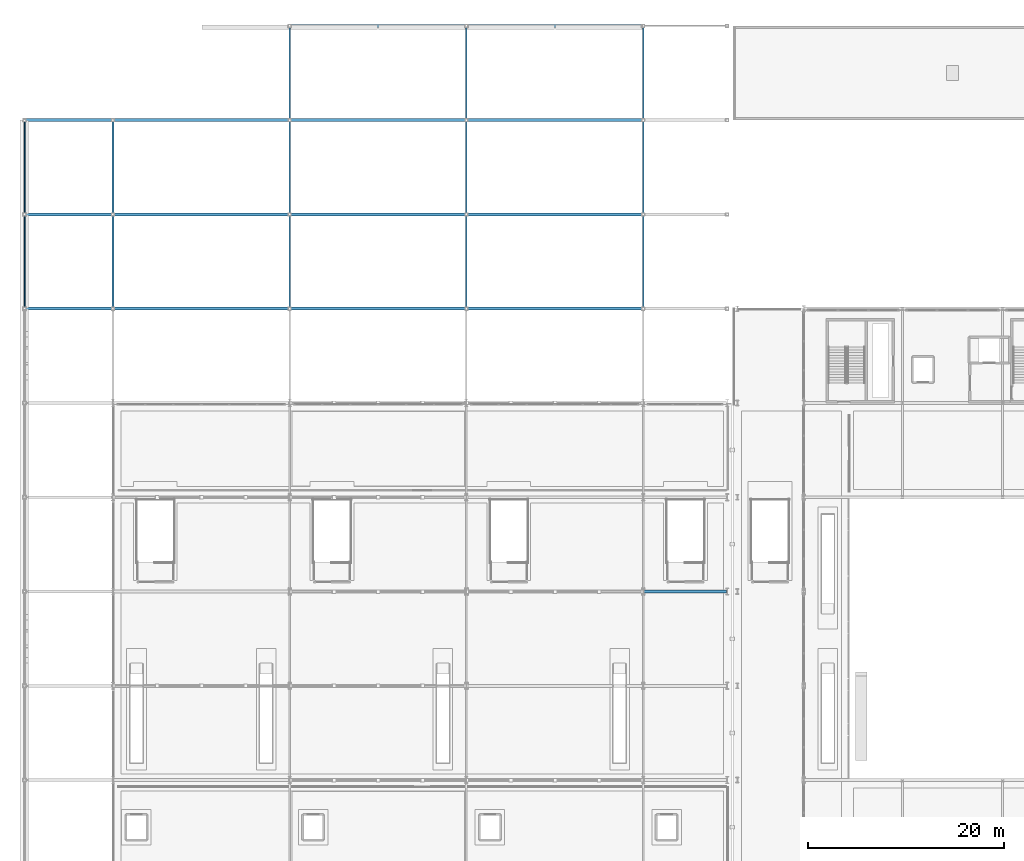
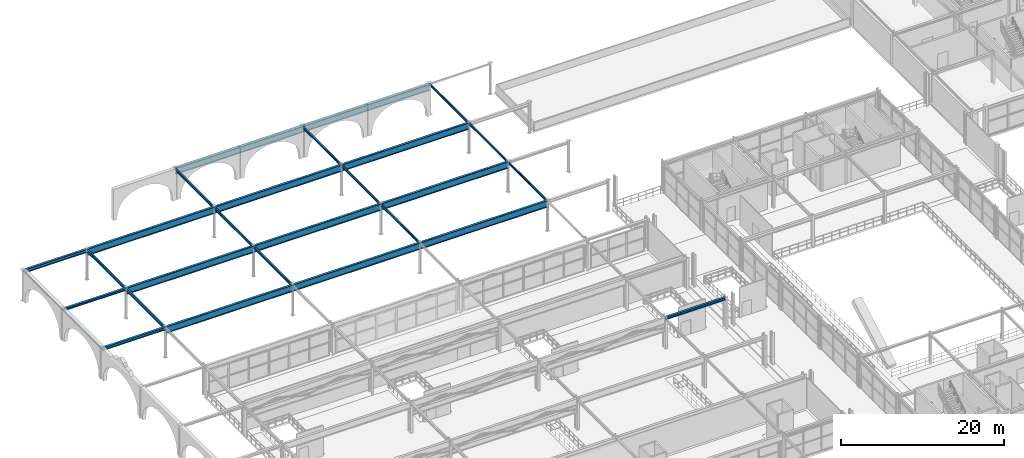
# One storey, part 46 of 125: 28 beams.
"""IFC4 building model written with IfcOpenShell, lengths in metres."""

import ifcopenshell
import ifcopenshell.guid

model = None  # the IFC model being written
_history = None  # IfcOwnerHistory: only IFC2X3 demands one
_inside = {}  # id of a spatial element -> (the spatial element, [elements in it])
_under = {}  # id of a project, library or spatial element -> (it, [spatial elements below it])
_declared = {}  # id of a project -> (the project, [libraries it declares])
_typed = {}  # id of a type object -> (the type object, [elements of that type])
_made_of = {}  # id of a material, layer set ... -> (it, [elements and type objects made of it])


def new_model(schema):
    """Start an empty IFC model of exactly this schema.

    Asked for "IFC4X3", IfcOpenShell would pick the latest addendum, in which some entities
    have other attributes; the version numbers below select the first issue.
    IFC2X3 requires an IfcOwnerHistory on every rooted entity: one is made here for all.
    """
    global model, _history
    if schema == "IFC4X3":
        model = ifcopenshell.file(schema_version=(4, 3, 0, 0))
    else:
        model = ifcopenshell.file(schema=schema)
    _inside.clear()
    _under.clear()
    _declared.clear()
    _typed.clear()
    _made_of.clear()
    _history = None
    if model.schema == "IFC2X3":
        org = make("IfcOrganization", Name="unknown")
        user = make(
            "IfcPersonAndOrganization",
            ThePerson=make("IfcPerson", FamilyName="unknown"),
            TheOrganization=org,
        )
        app = make(
            "IfcApplication",
            ApplicationDeveloper=org,
            Version="unknown",
            ApplicationFullName="unknown",
            ApplicationIdentifier="unknown",
        )
        _history = make(
            "IfcOwnerHistory",
            OwningUser=user,
            OwningApplication=app,
            ChangeAction="ADDED",
            CreationDate=0,
        )
    return model


def make(cls, **values):
    """One entity of the class cls with the attributes given. An attribute that is None is left unset."""
    return model.create_entity(
        cls, **{name: value for name, value in values.items() if value is not None}
    )


def rooted(cls, **values):
    """An entity with a GlobalId (a new one), such as an element, a storey or a relation."""
    return make(cls, GlobalId=ifcopenshell.guid.new(), OwnerHistory=_history, **values)


def si_unit(unit_type, name, prefix=None):
    """IfcSIUnit, for example si_unit("LENGTHUNIT", "METRE", prefix="MILLI")."""
    return make("IfcSIUnit", UnitType=unit_type, Prefix=prefix, Name=name)


def assignment(units):
    """IfcUnitAssignment: the units of a project."""
    return None if units is None else make("IfcUnitAssignment", Units=units)


def point(xyz):
    """IfcCartesianPoint."""
    return None if xyz is None else make("IfcCartesianPoint", Coordinates=xyz)


def direction(xyz):
    """IfcDirection."""
    return None if xyz is None else make("IfcDirection", DirectionRatios=xyz)


def frame(location, z_axis=None, x_axis=None):
    """IfcAxis2Placement3D, a coordinate frame: its origin and axes. An axis left out is left unset."""
    return make(
        "IfcAxis2Placement3D",
        Location=point(location),
        Axis=direction(z_axis),
        RefDirection=direction(x_axis),
    )


def frame_2d(location, x_axis=None):
    """IfcAxis2Placement2D, a coordinate frame in the plane: its origin and x axis."""
    return make(
        "IfcAxis2Placement2D", Location=point(location), RefDirection=direction(x_axis)
    )


def origin():
    """The frame at (0, 0, 0) with its axes left unset."""
    return frame((0.0, 0.0, 0.0))


def origin_2d():
    """The frame at (0, 0) in the plane with its x axis left unset."""
    return frame_2d((0.0, 0.0))


def place(relative_to, where):
    """IfcLocalPlacement: puts the frame where relative to a parent placement (None: the world)."""
    return make(
        "IfcLocalPlacement", PlacementRelTo=relative_to, RelativePlacement=where
    )


def context(
    kind, dimensions, precision=None, world=None, true_north=None, identifier=None
):
    """IfcGeometricRepresentationContext, for example the 3D "Model" context."""
    return make(
        "IfcGeometricRepresentationContext",
        ContextIdentifier=identifier,
        ContextType=kind,
        CoordinateSpaceDimension=dimensions,
        Precision=precision,
        WorldCoordinateSystem=world,
        TrueNorth=true_north,
    )


def subcontext(parent, identifier, kind, view, scale=None):
    """IfcGeometricRepresentationSubContext, for example "Body" below "Model"."""
    return make(
        "IfcGeometricRepresentationSubContext",
        ContextIdentifier=identifier,
        ContextType=kind,
        ParentContext=parent,
        TargetScale=scale,
        TargetView=view,
    )


def project(units=None, contexts=None):
    """IfcProject with its units and contexts."""
    return rooted(
        "IfcProject",
        Name="project",
        RepresentationContexts=contexts,
        UnitsInContext=assignment(units),
    )


def spatial(cls, under=None, at=None, **own):
    """A site, building, storey or space (cls), placed at a placement, below another one or the project."""
    s = rooted(cls, ObjectPlacement=at, **own)
    if under is not None:
        _under.setdefault(under.id(), (under, []))[1].append(s)
    return s


def profile(cls, at=None, kind="AREA", **sizes):
    """A parametric profile (cls). Its sizes go by their IFC names, for example OverallWidth=200.0."""
    return make(cls, ProfileType=kind, Position=at, **sizes)


def hollow_rectangle(**sizes):
    """IfcRectangleHollowProfileDef."""
    return profile("IfcRectangleHollowProfileDef", **sizes)


def i_section(**sizes):
    """IfcIShapeProfileDef."""
    return profile("IfcIShapeProfileDef", **sizes)


def extrude(swept, where, along, depth):
    """IfcExtrudedAreaSolid: the profile swept, set in the frame where, extruded along a direction by depth."""
    return make(
        "IfcExtrudedAreaSolid",
        SweptArea=swept,
        Position=where,
        ExtrudedDirection=direction(along),
        Depth=depth,
    )


def shape(context_of_items, identifier, shape_type, items):
    """IfcShapeRepresentation: the items that make up one representation, for example the "Body"."""
    return make(
        "IfcShapeRepresentation",
        ContextOfItems=context_of_items,
        RepresentationIdentifier=identifier,
        RepresentationType=shape_type,
        Items=items,
    )


def material(Name=None, Category=None):
    """IfcMaterial."""
    return make("IfcMaterial", Name=Name, Category=Category)


def material_profile(
    of_material, cross_section, Name=None, Category=None, Priority=None
):
    """IfcMaterialProfile: a cross section and its material."""
    return make(
        "IfcMaterialProfile",
        Name=Name,
        Material=of_material,
        Profile=cross_section,
        Priority=Priority,
        Category=Category,
    )


def profile_set(profiles, Name=None, composite=None):
    """IfcMaterialProfileSet."""
    return make(
        "IfcMaterialProfileSet",
        Name=Name,
        MaterialProfiles=profiles,
        CompositeProfile=composite,
    )


def made_of(thing, what):
    """Note that an element or type object is made of a material, layer set ...; save() writes the relation."""
    if what is not None:
        _made_of.setdefault(what.id(), (what, []))[1].append(thing)
    return thing


def type_object(cls, material=None, **own):
    """A type object (cls), such as IfcWallType, which elements share."""
    return made_of(rooted(cls, **own), material)


def element(
    cls,
    number,
    at=None,
    inside=None,
    cuts=None,
    type_object=None,
    material=None,
    context=None,
    identifier="Body",
    shape_type=None,
    held_by="IfcProductDefinitionShape",
    body=None,
    shapes=None,
    **own,
):
    """One element of the class cls, such as IfcWall. Its Tag is "e" and its number.

    at: its placement. inside: the storey or other place that contains it. cuts: it is an
    opening in that element (IfcRelVoidsElement). A single representation is given by context,
    identifier, shape_type and body (its items); several are given by shapes. held_by: the class
    of the entity that holds the representations. save() writes the other relations.
    """
    e = rooted(cls, Tag="e%d" % number, ObjectPlacement=at, **own)
    if body is not None:
        shapes = [shape(context, identifier, shape_type, body)]
    if shapes is not None:
        e.Representation = make(held_by, Representations=shapes)
    if inside is not None:
        _inside.setdefault(inside.id(), (inside, []))[1].append(e)
    if cuts is not None:
        rooted(
            "IfcRelVoidsElement", RelatingBuildingElement=cuts, RelatedOpeningElement=e
        )
    if type_object is not None:
        _typed.setdefault(type_object.id(), (type_object, []))[1].append(e)
    return made_of(e, material)


def aggregate(whole, parts):
    """IfcRelAggregates: a whole, such as a stair, and the parts it consists of."""
    return rooted("IfcRelAggregates", RelatingObject=whole, RelatedObjects=parts)


def save(model, path):
    """Write the relations noted so far, then the file.

    IfcRelAggregates (storeys below a building ...), IfcRelContainedInSpatialStructure (elements
    in a storey), IfcRelDefinesByType, IfcRelAssociatesMaterial and IfcRelDeclares: one each for
    every whole, place, type object, material and project.
    """
    for whole, parts in _under.values():
        aggregate(whole, parts)
    for where, things in _inside.values():
        rooted(
            "IfcRelContainedInSpatialStructure",
            RelatedElements=things,
            RelatingStructure=where,
        )
    for kind, things in _typed.values():
        rooted("IfcRelDefinesByType", RelatedObjects=things, RelatingType=kind)
    for what, things in _made_of.values():
        rooted("IfcRelAssociatesMaterial", RelatedObjects=things, RelatingMaterial=what)
    for by, libraries in _declared.values():
        rooted("IfcRelDeclares", RelatingContext=by, RelatedDefinitions=libraries)
    model.write(path)


model = new_model("IFC4")

# Units and contexts
model_context = context("Model", 3, precision=1e-05, world=origin(), true_north=direction((0.0, 1.0)))
body_context = subcontext(model_context, "Body", "Model", "MODEL_VIEW")
ifc_project = project(units=[si_unit("LENGTHUNIT", "METRE"), si_unit("AREAUNIT", "SQUARE_METRE"), si_unit("VOLUMEUNIT", "CUBIC_METRE"), si_unit("PLANEANGLEUNIT", "RADIAN"), si_unit("MASSUNIT", "GRAM", prefix="KILO")], contexts=[model_context])

# Site, building, storey
site_placement = place(None, origin())
site = spatial("IfcSite", under=ifc_project, at=site_placement, CompositionType="ELEMENT")
building_placement = place(site_placement, origin())
building = spatial("IfcBuilding", under=site, at=building_placement, Name="Myrtia Square Station", CompositionType="ELEMENT")
storey_placement = place(building_placement, frame((0.0, 0.0, 6.0)))
storey = spatial("IfcBuildingStorey", under=building, at=storey_placement, Name="L01", CompositionType="ELEMENT", Elevation=6.0)

# Beams
ifc_material = material(Name="Steel S355", Category="steel")
ifc_material_profile_1 = material_profile(ifc_material, i_section(OverallWidth=0.300048828125, OverallDepth=0.35009765625, WebThickness=0.010009765625, FlangeThickness=0.017578125, FilletRadius=0.027099609375, at=origin_2d()), Name="HEA 360")
ifc_profile_set_1 = profile_set([ifc_material_profile_1], Name="Steel S355")
beam_type_1 = type_object("IfcBeamType", Name="BM-HEA360", PredefinedType="BEAM", material=ifc_profile_set_1)
beam_1_placement = place(storey_placement, frame((0.050048828125, 105.60009765625, 4.3798828125), z_axis=(1.0, 0.0, 0.0), x_axis=(0.0, 1.0, 0.0)))
element("IfcBeam", 1, at=beam_1_placement, inside=storey, type_object=beam_type_1, Name="Structural girder BMX-L01-0480", PredefinedType="BEAM", context=body_context, shape_type="SweptSolid", body=[
    extrude(i_section(OverallWidth=0.300048828125, OverallDepth=0.35009765625, WebThickness=0.010009765625, FlangeThickness=0.017578125, FilletRadius=0.027099609375, at=origin_2d()), origin(), (0.0, 0.0, 1.0), 8.89990234375),
])
ifc_material_profile_2 = material_profile(ifc_material, i_section(OverallWidth=0.300048828125, OverallDepth=0.43994140625, WebThickness=0.011474609375, FlangeThickness=0.02099609375, FilletRadius=0.027099609375, at=origin_2d()), Name="HEA 450")
ifc_profile_set_2 = profile_set([ifc_material_profile_2], Name="Steel S355")
beam_type_2 = type_object("IfcBeamType", Name="BM-HEA450", PredefinedType="BEAM", material=ifc_profile_set_2)
beam_2_placement = place(storey_placement, frame((0.050048828125, 96.0, 4.3349609375), z_axis=(1.0, 0.0, 0.0), x_axis=(0.0, 1.0, 0.0)))
element("IfcBeam", 2, at=beam_2_placement, inside=storey, type_object=beam_type_2, Name="Structural girder BMX-L01-0478", PredefinedType="BEAM", context=body_context, shape_type="SweptSolid", body=[
    extrude(i_section(OverallWidth=0.300048828125, OverallDepth=0.43994140625, WebThickness=0.011474609375, FlangeThickness=0.02099609375, FilletRadius=0.027099609375, at=origin_2d()), origin(), (0.0, 0.0, 1.0), 8.89990234375),
])
ifc_material_profile_3 = material_profile(ifc_material, i_section(OverallWidth=0.300048828125, OverallDepth=0.39990234375, WebThickness=0.013427734375, FlangeThickness=0.02392578125, FilletRadius=0.027099609375, at=origin_2d()), Name="HEB 400")
ifc_profile_set_3 = profile_set([ifc_material_profile_3], Name="Steel S355")
beam_type_3 = type_object("IfcBeamType", Name="BM-HEB400", PredefinedType="BEAM", material=ifc_profile_set_3)
beam_3_placement = place(storey_placement, frame((63.050048828125, 67.199951171875, 4.35498046875), z_axis=(1.0, 0.0, 0.0), x_axis=(0.0, 1.0, 0.0)))
element("IfcBeam", 3, at=beam_3_placement, inside=storey, type_object=beam_type_3, Name="Structural girder BMX-L01-0473", PredefinedType="BEAM", context=body_context, shape_type="SweptSolid", body=[
    extrude(i_section(OverallWidth=0.300048828125, OverallDepth=0.39990234375, WebThickness=0.013427734375, FlangeThickness=0.02392578125, FilletRadius=0.027099609375, at=origin_2d()), origin(), (0.0, 0.0, 1.0), 8.449951171875),
])
ifc_material_profile_4 = material_profile(ifc_material, i_section(OverallWidth=0.300048828125, OverallDepth=0.5, WebThickness=0.014404296875, FlangeThickness=0.028076171875, FilletRadius=0.027099609375, at=origin_2d()), Name="HEB 500")
ifc_profile_set_4 = profile_set([ifc_material_profile_4], Name="Steel S355")
beam_type_4 = type_object("IfcBeamType", Name="BM-HEB500", PredefinedType="BEAM", material=ifc_profile_set_4)
beam_4_placement = place(storey_placement, frame((0.050048828125, 115.199951171875, 4.304931640625), z_axis=(1.0, 0.0, 0.0), x_axis=(0.0, 1.0, 0.0)))
element("IfcBeam", 4, at=beam_4_placement, inside=storey, type_object=beam_type_4, Name="Structural girder BMX-L01-0482", PredefinedType="BEAM", context=body_context, shape_type="SweptSolid", body=[
    extrude(i_section(OverallWidth=0.300048828125, OverallDepth=0.5, WebThickness=0.014404296875, FlangeThickness=0.028076171875, FilletRadius=0.027099609375, at=origin_2d()), origin(), (0.0, 0.0, 1.0), 8.89990234375),
])
ifc_material_profile_5 = material_profile(ifc_material, i_section(OverallWidth=0.159912109375, OverallDepth=0.330078125, WebThickness=0.007568359375, FlangeThickness=0.011474609375, FilletRadius=0.01806640625, at=origin_2d()), Name="IPE 330")
ifc_profile_set_5 = profile_set([ifc_material_profile_5], Name="Steel S355")
beam_type_5 = type_object("IfcBeamType", Name="BM-IPE330", PredefinedType="BEAM", material=ifc_profile_set_5)
for number, where, z_axis, x_axis, name in (
    (5, (63.0, 96.050048828125, 4.389892578125), (0.0, 1.0, 0.0), (-1.0, 0.0, 0.0), "Structural girder BMY-L01-0531"),
    (6, (63.0, 105.64990234375, 4.389892578125), (0.0, 1.0, 0.0), (-1.0, 0.0, 0.0), "Structural girder BMY-L01-0532"),
    (7, (63.0, 115.25, 4.389892578125), (0.0, 1.0, 0.0), (-1.0, 0.0, 0.0), "Structural girder BMY-L01-0533"),
):
    element("IfcBeam", number, at=place(storey_placement, frame(where, z_axis=z_axis, x_axis=x_axis)), inside=storey, type_object=beam_type_5, Name=name, PredefinedType="BEAM", context=body_context, shape_type="SweptSolid", body=[
        extrude(i_section(OverallWidth=0.159912109375, OverallDepth=0.330078125, WebThickness=0.007568359375, FlangeThickness=0.011474609375, FilletRadius=0.01806640625, at=origin_2d()), origin(), (0.0, 0.0, 1.0), 9.5),
    ])
ifc_material_profile_6 = material_profile(ifc_material, i_section(OverallWidth=0.169921875, OverallDepth=0.360107421875, WebThickness=0.008056640625, FlangeThickness=0.0126953125, FilletRadius=0.01806640625, at=origin_2d()), Name="IPE 360")
ifc_profile_set_6 = profile_set([ifc_material_profile_6], Name="Steel S355")
beam_type_6 = type_object("IfcBeamType", Name="BM-IPE360", PredefinedType="BEAM", material=ifc_profile_set_6)
for number, where, z_axis, x_axis, name in (
    (8, (45.0, 96.050048828125, 4.375), (0.0, 1.0, 0.0), (-1.0, 0.0, 0.0), "Structural girder BMY-L01-0518"),
    (9, (45.0, 105.64990234375, 4.375), (0.0, 1.0, 0.0), (-1.0, 0.0, 0.0), "Structural girder BMY-L01-0519"),
    (10, (45.0, 115.25, 4.375), (0.0, 1.0, 0.0), (-1.0, 0.0, 0.0), "Structural girder BMY-L01-0520"),
):
    element("IfcBeam", number, at=place(storey_placement, frame(where, z_axis=z_axis, x_axis=x_axis)), inside=storey, type_object=beam_type_6, Name=name, PredefinedType="BEAM", context=body_context, shape_type="SweptSolid", body=[
        extrude(i_section(OverallWidth=0.169921875, OverallDepth=0.360107421875, WebThickness=0.008056640625, FlangeThickness=0.0126953125, FilletRadius=0.01806640625, at=origin_2d()), origin(), (0.0, 0.0, 1.0), 9.5),
    ])
ifc_material_profile_7 = material_profile(ifc_material, i_section(OverallWidth=0.179931640625, OverallDepth=0.39990234375, WebThickness=0.008544921875, FlangeThickness=0.013427734375, FilletRadius=0.02099609375, at=origin_2d()), Name="IPE 400")
ifc_profile_set_7 = profile_set([ifc_material_profile_7], Name="Steel S355")
beam_type_7 = type_object("IfcBeamType", Name="BM-IPE400", PredefinedType="BEAM", material=ifc_profile_set_7)
for number, where, z_axis, x_axis, name in (
    (11, (27.0, 96.050048828125, 4.35498046875), (0.0, 1.0, 0.0), (-1.0, 0.0, 0.0), "Structural girder BMY-L01-0505"),
    (12, (27.0, 105.64990234375, 4.35498046875), (0.0, 1.0, 0.0), (-1.0, 0.0, 0.0), "Structural girder BMY-L01-0506"),
    (13, (27.0, 115.25, 4.35498046875), (0.0, 1.0, 0.0), (-1.0, 0.0, 0.0), "Structural girder BMY-L01-0507"),
):
    element("IfcBeam", number, at=place(storey_placement, frame(where, z_axis=z_axis, x_axis=x_axis)), inside=storey, type_object=beam_type_7, Name=name, PredefinedType="BEAM", context=body_context, shape_type="SweptSolid", body=[
        extrude(i_section(OverallWidth=0.179931640625, OverallDepth=0.39990234375, WebThickness=0.008544921875, FlangeThickness=0.013427734375, FilletRadius=0.02099609375, at=origin_2d()), origin(), (0.0, 0.0, 1.0), 9.5),
    ])
ifc_material_profile_8 = material_profile(ifc_material, i_section(OverallWidth=0.18994140625, OverallDepth=0.449951171875, WebThickness=0.009521484375, FlangeThickness=0.0146484375, FilletRadius=0.02099609375, at=origin_2d()), Name="IPE 450")
ifc_profile_set_8 = profile_set([ifc_material_profile_8], Name="Steel S355")
beam_type_8 = type_object("IfcBeamType", Name="BM-IPE450", PredefinedType="BEAM", material=ifc_profile_set_8)
for number, where, z_axis, x_axis, name in (
    (14, (9.0, 96.050048828125, 4.330078125), (0.0, 1.0, 0.0), (-1.0, 0.0, 0.0), "Structural girder BMY-L01-0493"),
    (15, (9.0, 105.64990234375, 4.330078125), (0.0, 1.0, 0.0), (-1.0, 0.0, 0.0), "Structural girder BMY-L01-0494"),
):
    element("IfcBeam", number, at=place(storey_placement, frame(where, z_axis=z_axis, x_axis=x_axis)), inside=storey, type_object=beam_type_8, Name=name, PredefinedType="BEAM", context=body_context, shape_type="SweptSolid", body=[
        extrude(i_section(OverallWidth=0.18994140625, OverallDepth=0.449951171875, WebThickness=0.009521484375, FlangeThickness=0.0146484375, FilletRadius=0.02099609375, at=origin_2d()), origin(), (0.0, 0.0, 1.0), 9.5),
    ])
ifc_material_profile_9 = material_profile(ifc_material, hollow_rectangle(XDim=0.14990234375, YDim=0.25, WallThickness=0.012451171875, InnerFilletRadius=0.012451171875, OuterFilletRadius=0.02490234375, at=origin_2d()), Name="RHS 250x150x12.5")
ifc_profile_set_9 = profile_set([ifc_material_profile_9], Name="Steel S355")
beam_type_9 = type_object("IfcBeamType", Name="SPN-RHS250", PredefinedType="SPANDREL", material=ifc_profile_set_9)
for number, where, z_axis, x_axis, name in (
    (16, (0.0, 96.050048828125, 4.429931640625), (0.0, 1.0, 0.0), (-1.0, 0.0, 0.0), "Structural girder SPNY-L01-0149"),
    (17, (0.0, 105.64990234375, 4.429931640625), (0.0, 1.0, 0.0), (-1.0, 0.0, 0.0), "Structural girder SPNY-L01-0150"),
):
    element("IfcBeam", number, at=place(storey_placement, frame(where, z_axis=z_axis, x_axis=x_axis)), inside=storey, type_object=beam_type_9, Name=name, PredefinedType="SPANDREL", context=body_context, shape_type="SweptSolid", body=[
        extrude(hollow_rectangle(XDim=0.14990234375, YDim=0.25, WallThickness=0.012451171875, InnerFilletRadius=0.012451171875, OuterFilletRadius=0.02490234375, at=origin_2d()), origin(), (0.0, 0.0, 1.0), 9.5),
    ])
ifc_material_profile_10 = material_profile(ifc_material, i_section(OverallWidth=0.300048828125, OverallDepth=1.0, WebThickness=0.01904296875, FlangeThickness=0.035888671875, FilletRadius=0.030029296875, at=origin_2d()), Name="HEB 1000")
ifc_profile_set_10 = profile_set([ifc_material_profile_10], Name="Steel S355")
beam_type_10 = type_object("IfcBeamType", Name="TG-HEB1000", PredefinedType="USERDEFINED", material=ifc_profile_set_10)
for number, where, z_axis, x_axis, name in (
    (18, (9.050048828125, 96.0, 4.054931640625), (1.0, 0.0, 0.0), (0.0, 1.0, 0.0), "Structural girder TG-L01-0127"),
    (19, (27.050048828125, 96.0, 4.054931640625), (1.0, 0.0, 0.0), (0.0, 1.0, 0.0), "Structural girder TG-L01-0128"),
    (20, (45.050048828125, 96.0, 4.054931640625), (1.0, 0.0, 0.0), (0.0, 1.0, 0.0), "Structural girder TG-L01-0129"),
    (21, (9.050048828125, 105.60009765625, 4.054931640625), (1.0, 0.0, 0.0), (0.0, 1.0, 0.0), "Structural girder TG-L01-0130"),
    (22, (27.050048828125, 105.60009765625, 4.054931640625), (1.0, 0.0, 0.0), (0.0, 1.0, 0.0), "Structural girder TG-L01-0131"),
    (23, (45.050048828125, 105.60009765625, 4.054931640625), (1.0, 0.0, 0.0), (0.0, 1.0, 0.0), "Structural girder TG-L01-0132"),
    (24, (9.050048828125, 115.199951171875, 4.054931640625), (1.0, 0.0, 0.0), (0.0, 1.0, 0.0), "Structural girder TG-L01-0133"),
    (25, (27.050048828125, 115.199951171875, 4.054931640625), (1.0, 0.0, 0.0), (0.0, 1.0, 0.0), "Structural girder TG-L01-0134"),
    (26, (45.050048828125, 115.199951171875, 4.054931640625), (1.0, 0.0, 0.0), (0.0, 1.0, 0.0), "Structural girder TG-L01-0135"),
    (27, (27.050048828125, 124.800048828125, 4.054931640625), (1.0, 0.0, 0.0), (0.0, 1.0, 0.0), "Structural girder TG-L01-0136"),
    (28, (45.050048828125, 124.800048828125, 4.054931640625), (1.0, 0.0, 0.0), (0.0, 1.0, 0.0), "Structural girder TG-L01-0137"),
):
    element("IfcBeam", number, at=place(storey_placement, frame(where, z_axis=z_axis, x_axis=x_axis)), inside=storey, type_object=beam_type_10, Name=name, ObjectType="TRANSFER GIRDER", PredefinedType="USERDEFINED", context=body_context, shape_type="SweptSolid", body=[
        extrude(i_section(OverallWidth=0.300048828125, OverallDepth=1.0, WebThickness=0.01904296875, FlangeThickness=0.035888671875, FilletRadius=0.030029296875, at=origin_2d()), origin(), (0.0, 0.0, 1.0), 17.89990234375),
    ])

save(model, "model.ifc")
